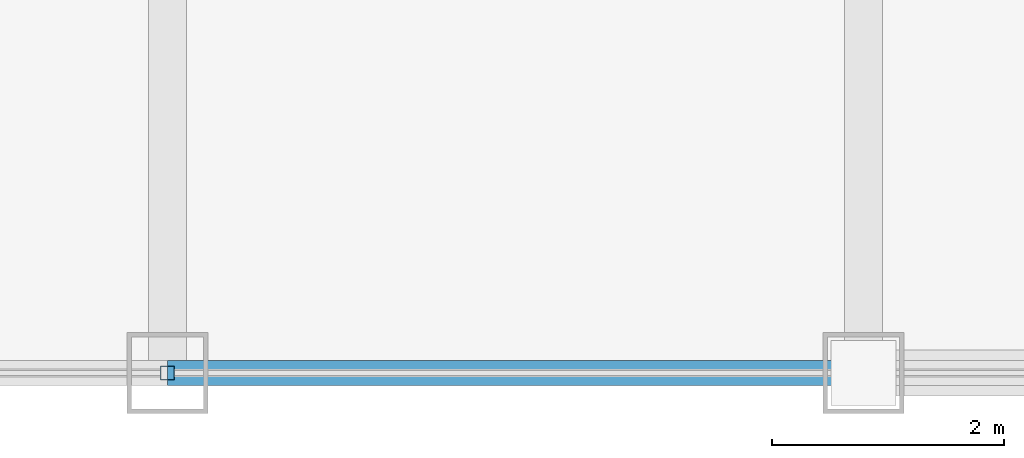
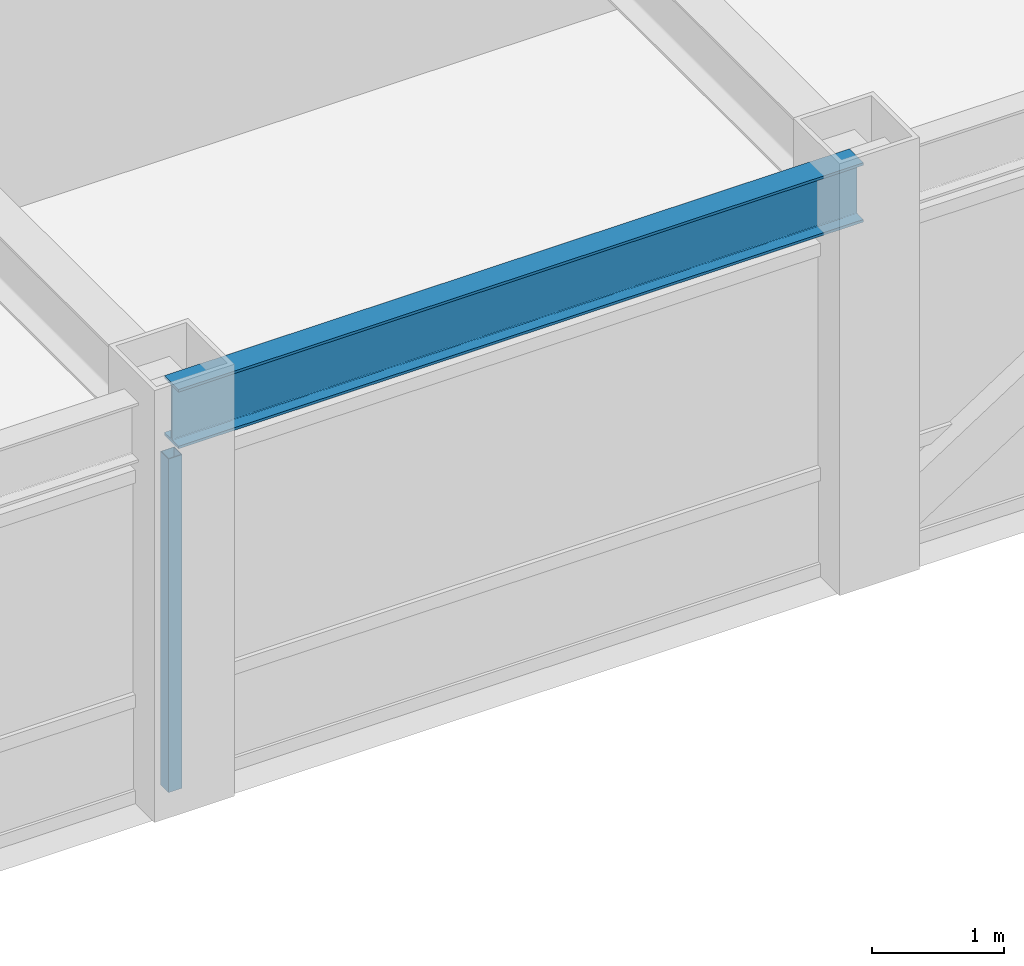
# One storey, part 4 of 29: 1 beam, 1 member, 1 element without a shape of its own.
"""IFC4 building model written with IfcOpenShell, lengths in metres."""

from ifc_helpers import new_model, si_unit, direction, frame, origin, origin_2d, place, context, subcontext, project, spatial, hollow_rectangle, i_section, extrude, source, transform, mapped, material, material_profile, profile_set, type_object, element, aggregate, save


model = new_model("IFC4")

# Units and contexts
model_context = context("Model", 3, precision=1e-05, world=origin(), true_north=direction((0.0, 1.0)))
body_context = subcontext(model_context, "Body", "Model", "MODEL_VIEW")
ifc_project = project(units=[si_unit("LENGTHUNIT", "METRE"), si_unit("AREAUNIT", "SQUARE_METRE"), si_unit("VOLUMEUNIT", "CUBIC_METRE"), si_unit("PLANEANGLEUNIT", "RADIAN"), si_unit("MASSUNIT", "GRAM", prefix="KILO")], contexts=[model_context])

# Site, building, storey
site_placement = place(None, origin())
site = spatial("IfcSite", under=ifc_project, at=site_placement, CompositionType="ELEMENT")
building_placement = place(site_placement, origin())
building = spatial("IfcBuilding", under=site, at=building_placement, Name="Khorayat Bourse Tower", CompositionType="ELEMENT")
storey_placement = place(building_placement, frame((0.0, 0.0, 366.300048828125)))
storey = spatial("IfcBuildingStorey", under=building, at=storey_placement, Name="L87", CompositionType="ELEMENT", Elevation=366.300048828125)

# Beam
ifc_material_1 = material(Name="Steel ASTM A992 Grade 50", Category="steel")
ifc_material_profile_1 = material_profile(ifc_material_1, i_section(OverallWidth=0.214111328125, OverallDepth=0.549072265625, WebThickness=0.0146484375, FlangeThickness=0.023681640625, FilletRadius=0.013916015625, at=origin_2d()), Name="W530X138")
ifc_profile_set_1 = profile_set([ifc_material_profile_1], Name="Steel ASTM A992 Grade 50")
beam_type = type_object("IfcBeamType", Name="BM-SPAN-530", PredefinedType="SPANDREL", material=ifc_profile_set_1)
shared_shape_1 = source(origin(), body_context, "Body", "SweptSolid", [
    extrude(i_section(OverallWidth=0.214111328125, OverallDepth=0.549072265625, WebThickness=0.0146484375, FlangeThickness=0.023681640625, FilletRadius=0.013916015625, at=origin_2d()), origin(), (0.0, 0.0, 1.0), 6.0),
])
beam_placement = place(storey_placement, frame((0.0, -26.0, 3.46533203125), z_axis=(1.0, 0.0, 0.0), x_axis=(0.0, 1.0, 0.0)))
element("IfcBeam", 1, at=beam_placement, inside=storey, type_object=beam_type, Name="L87 BM-SPAN-530 BM-L87-SPN-027", PredefinedType="SPANDREL", context=body_context, shape_type="MappedRepresentation", body=[
    mapped(shared_shape_1, transform((0.0, 0.0, 0.0), scale=1.0)),
])

# Curtain wall, member
ifc_material_2 = material(Name="Aluminium EN AW-6063 T6", Category="aluminium")
curtain_wall_type = type_object("IfcCurtainWallType", Name="CW-SYS-04", PredefinedType="NOTDEFINED", material=ifc_material_2)
curtain_wall_placement = place(storey_placement, origin())
curtain_wall = element("IfcCurtainWall", 2, at=curtain_wall_placement, inside=storey, type_object=curtain_wall_type, Name="L87 Curtain Wall CW-L87-S1", PredefinedType="NOTDEFINED")
ifc_material_profile_2 = material_profile(ifc_material_2, hollow_rectangle(XDim=0.1201171875, YDim=0.1201171875, WallThickness=0.0048828125, at=origin_2d()), Name="ALU 120x120x5")
ifc_profile_set_2 = profile_set([ifc_material_profile_2], Name="Aluminium EN AW-6063 T6")
member_type = type_object("IfcMemberType", Name="CWM-VERT-120", PredefinedType="MULLION", material=ifc_profile_set_2)
shared_shape_2 = source(origin(), body_context, "Body", "SweptSolid", [
    extrude(hollow_rectangle(XDim=0.1201171875, YDim=0.1201171875, WallThickness=0.0048828125, at=origin_2d()), origin(), (0.0, 0.0, 1.0), 3.08984375),
])
member_placement = place(storey_placement, frame((0.0, -26.0, 0.0), z_axis=(0.0, 0.0, 1.0), x_axis=(0.0, 1.0, 0.0)))
member = element("IfcMember", 3, at=member_placement, type_object=member_type, Name="CW-L87-S1 Vertical Mullion 2", PredefinedType="MULLION", context=body_context, shape_type="MappedRepresentation", body=[
    mapped(shared_shape_2, transform((0.0, 0.0, 0.0), scale=1.0)),
])
aggregate(curtain_wall, [member])

save(model, "model.ifc")
